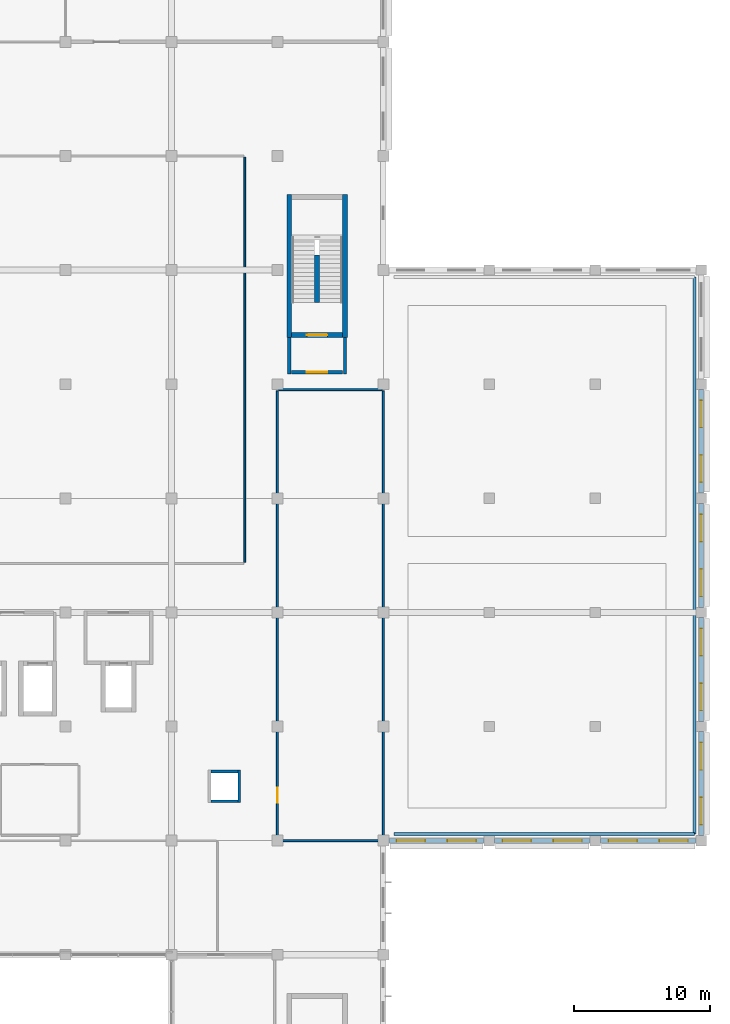
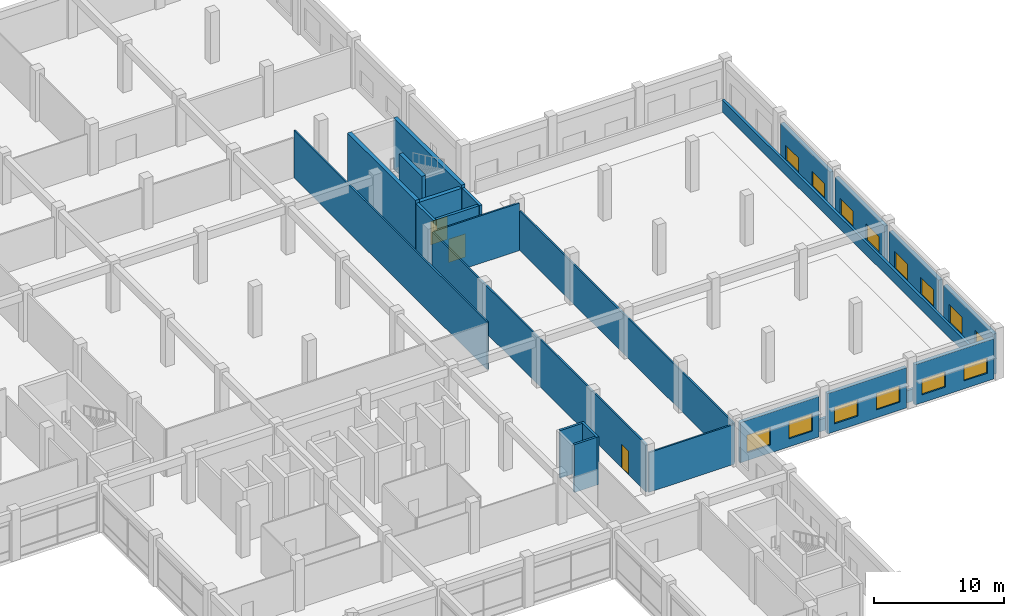
# One storey, part 50 of 62: 24 walls, 14 windows, 3 doors, 17 openings.
"""IFC4 building model written with IfcOpenShell, lengths in metres."""

from ifc_helpers import new_model, si_unit, direction, frame, frame_2d, origin, place, context, subcontext, project, spatial, rectangle, extrude, material, layer, layer_set, type_object, element, fill, save


model = new_model("IFC4")

# Units and contexts
model_context = context("Model", 3, precision=1e-05, world=origin(), true_north=direction((0.0, 1.0)))
body_context = subcontext(model_context, "Body", "Model", "MODEL_VIEW")
ifc_project = project(units=[si_unit("LENGTHUNIT", "METRE"), si_unit("AREAUNIT", "SQUARE_METRE"), si_unit("VOLUMEUNIT", "CUBIC_METRE"), si_unit("PLANEANGLEUNIT", "RADIAN"), si_unit("MASSUNIT", "GRAM", prefix="KILO"), si_unit("THERMODYNAMICTEMPERATUREUNIT", "KELVIN"), si_unit("POWERUNIT", "WATT")], contexts=[model_context])

# Site, building, storey
site_placement = place(None, origin())
site = spatial("IfcSite", under=ifc_project, at=site_placement, CompositionType="ELEMENT")
building_placement = place(site_placement, origin())
building = spatial("IfcBuilding", under=site, at=building_placement, Name="Srebrne Nadtorze General Hospital", CompositionType="ELEMENT")
storey_placement = place(building_placement, frame((0.0, 0.0, 9.60009765625)))
storey = spatial("IfcBuildingStorey", under=building, at=storey_placement, Name="L02", CompositionType="ELEMENT", Elevation=9.60009765625)

# Wall
ifc_material_1 = material(Name="Gypsum Healthcare Partition")
ifc_layer_1 = layer(ifc_material_1, 0.139892578125)
ifc_layer_set_1 = layer_set([ifc_layer_1], Name="Gypsum Healthcare Partition")
wall_type_1 = type_object("IfcWallType", Name="Clinical partition 140", PredefinedType="PARTITIONING", material=ifc_layer_set_1)
wall_1_placement = place(storey_placement, frame((138.0, 54.0849609375, 0.0), z_axis=(0.0, 0.0, 1.0), x_axis=(0.0, 1.0, 0.0)))
element("IfcWall", 1, at=wall_1_placement, inside=storey, type_object=wall_type_1, Name="Haemodialysis and Renal Care Unit wall WL-INT-L02-1540", PredefinedType="PARTITIONING", context=body_context, shape_type="SweptSolid", body=[
    extrude(rectangle(XDim=29.830078125, YDim=0.139892578125, at=frame_2d((14.9150390625, 0.0))), origin(), (0.0, 0.0, 1.0), 4.47998046875),
])

# Wall, opening, door
wall_2_placement = place(storey_placement, frame((140.39990234375, 33.68505859375, 0.0), z_axis=(0.0, 0.0, 1.0), x_axis=(0.0, 1.0, 0.0)))
wall_2 = element("IfcWall", 2, at=wall_2_placement, inside=storey, type_object=wall_type_1, Name="Renal Dialysis Preparation Unit wall WL-INT-L02-1572", PredefinedType="PARTITIONING", context=body_context, shape_type="SweptSolid", body=[
    extrude(rectangle(XDim=33.030029296875, YDim=0.139892578125, at=frame_2d((16.51513671875, 0.0))), origin(), (0.0, 0.0, 1.0), 4.47998046875),
])
opening_1_placement = place(wall_2_placement, frame((2.693115234375, 0.0, 0.0)))
opening_1 = element("IfcOpeningElement", 3, at=opening_1_placement, cuts=wall_2, Name="Opening D-L02-0257", PredefinedType="OPENING", context=body_context, shape_type="SweptSolid", body=[
    extrude(rectangle(XDim=1.1201171875, YDim=2.199951171875, at=frame_2d((0.56005859375, 1.10009765625))), frame((0.0, 0.08203125, 0.0), z_axis=(0.0, -1.0, 0.0), x_axis=(1.0, 0.0, 0.0)), (0.0, 0.0, 1.0), 0.163818359375),
])
ifc_material_2 = material(Name="Anodised Aluminium", Category="aluminium")
door_type_1 = type_object("IfcDoorType", Name="Single leaf door 1120x2200", OperationType="NOTDEFINED", PredefinedType="DOOR", material=ifc_material_2)
door_1_placement = place(opening_1_placement, frame((1.1201171875, 0.0, 0.0), z_axis=(0.0, 0.0, 1.0), x_axis=(-1.0, 0.0, 0.0)))
door_1 = element("IfcDoor", 4, at=door_1_placement, inside=storey, type_object=door_type_1, Name="Renal Dialysis Preparation Unit door D-L02-0257", OperationType="SINGLE_SWING_RIGHT", OverallHeight=2.199951171875, OverallWidth=1.1201171875, PredefinedType="DOOR", context=body_context, shape_type="SweptSolid", body=[
    extrude(rectangle(XDim=1.1201171875, YDim=2.199951171875, at=frame_2d((0.56005859375, 1.10009765625))), frame((0.0, 0.02490234375, 0.0), z_axis=(0.0, -1.0, 0.0), x_axis=(1.0, 0.0, 0.0)), (0.0, 0.0, 1.0), 0.050048828125),
])
fill(opening_1, door_1)

# Walls
wall_3_placement = place(storey_placement, frame((140.485107421875, 33.60009765625, 0.0), z_axis=(0.0, 0.0, 1.0), x_axis=(1.0, 0.0, 0.0)))
element("IfcWall", 5, at=wall_3_placement, inside=storey, type_object=wall_type_1, Name="Renal Dialysis Preparation Unit wall WL-INT-L02-1573", PredefinedType="PARTITIONING", context=body_context, shape_type="SweptSolid", body=[
    extrude(rectangle(XDim=7.6298828125, YDim=0.139892578125, at=frame_2d((3.81494140625, 0.0))), origin(), (0.0, 0.0, 1.0), 3.75),
])
wall_4_placement = place(storey_placement, frame((140.485107421875, 66.800048828125, 0.0), z_axis=(0.0, 0.0, 1.0), x_axis=(1.0, 0.0, 0.0)))
element("IfcWall", 6, at=wall_4_placement, inside=storey, type_object=wall_type_1, Name="Renal Dialysis Preparation Unit wall WL-INT-L02-1574", PredefinedType="PARTITIONING", context=body_context, shape_type="SweptSolid", body=[
    extrude(rectangle(XDim=7.6298828125, YDim=0.139892578125, at=frame_2d((3.81494140625, 0.0))), origin(), (0.0, 0.0, 1.0), 4.47998046875),
])
wall_5_placement = place(storey_placement, frame((148.199951171875, 33.68505859375, 0.0), z_axis=(0.0, 0.0, 1.0), x_axis=(0.0, 1.0, 0.0)))
element("IfcWall", 7, at=wall_5_placement, inside=storey, type_object=wall_type_1, Name="Renal Dialysis Preparation Unit wall WL-INT-L02-1575", PredefinedType="PARTITIONING", context=body_context, shape_type="SweptSolid", body=[
    extrude(rectangle(XDim=33.030029296875, YDim=0.139892578125, at=frame_2d((16.51513671875, 0.0))), origin(), (0.0, 0.0, 1.0), 3.75),
])
ifc_material_3 = material(Name="Gypsum Healthcare Partition")
ifc_layer_2 = layer(ifc_material_3, 0.199951171875)
ifc_layer_set_2 = layer_set([ifc_layer_2], Name="Gypsum Healthcare Partition")
wall_type_2 = type_object("IfcWallType", Name="Compartment wall 200", PredefinedType="STANDARD", material=ifc_layer_set_2)
wall_6_placement = place(storey_placement, frame((137.60009765625, 36.39990234375, 0.0), z_axis=(0.0, 0.0, 1.0), x_axis=(0.0, 1.0, 0.0)))
element("IfcWall", 8, at=wall_6_placement, inside=storey, type_object=wall_type_2, Name="MEP riser wall WL-INT-L02-1007", PredefinedType="STANDARD", context=body_context, shape_type="SweptSolid", body=[
    extrude(rectangle(XDim=2.400146484375, YDim=0.199951171875, at=frame_2d((1.2001953125, 0.0))), origin(), (0.0, 0.0, 1.0), 4.5),
])
for number, where, z_axis, x_axis, name in (
    (9, (135.5, 36.5, 0.0), (0.0, 0.0, 1.0), (1.0, 0.0, 0.0), "MEP riser wall WL-INT-L02-1008"),
    (10, (135.5, 38.699951171875, 0.0), (0.0, 0.0, 1.0), (1.0, 0.0, 0.0), "MEP riser wall WL-INT-L02-1009"),
):
    element("IfcWall", number, at=place(storey_placement, frame(where, z_axis=z_axis, x_axis=x_axis)), inside=storey, type_object=wall_type_2, Name=name, PredefinedType="STANDARD", context=body_context, shape_type="SweptSolid", body=[
        extrude(rectangle(XDim=2.0, YDim=0.199951171875, at=frame_2d((1.0, 0.0))), origin(), (0.0, 0.0, 1.0), 4.5),
    ])
ifc_material_4 = material(Name="Gypsum Healthcare Partition")
ifc_layer_3 = layer(ifc_material_4, 0.239990234375)
ifc_layer_set_3 = layer_set([ifc_layer_3], Name="Gypsum Healthcare Partition")
wall_type_3 = type_object("IfcWallType", Name="Corridor fire wall 240", PredefinedType="STANDARD", material=ifc_layer_set_3)
for number, where, z_axis, x_axis, name in (
    (11, (141.27490234375, 67.955078125, 0.0), (0.0, 0.0, 1.0), (0.0, 1.0, 0.0), "Fire lobby wall ST-04 WL-INT-L02-0221"),
    (12, (145.375, 67.955078125, 0.0), (0.0, 0.0, 1.0), (0.0, 1.0, 0.0), "Fire lobby wall ST-04 WL-INT-L02-0222"),
):
    element("IfcWall", number, at=place(storey_placement, frame(where, z_axis=z_axis, x_axis=x_axis)), inside=storey, type_object=wall_type_3, Name=name, PredefinedType="STANDARD", context=body_context, shape_type="SweptSolid", body=[
        extrude(rectangle(XDim=2.69482421875, YDim=0.239990234375, at=frame_2d((1.347412109375, 0.0))), origin(), (0.0, 0.0, 1.0), 4.5),
    ])

# Wall, opening, door
wall_7_placement = place(storey_placement, frame((141.449951171875, 68.074951171875, 0.0), z_axis=(0.0, 0.0, 1.0), x_axis=(1.0, 0.0, 0.0)))
wall_7 = element("IfcWall", 13, at=wall_7_placement, inside=storey, type_object=wall_type_3, Name="Fire lobby entry wall ST-04 WL-INT-L02-0223", PredefinedType="STANDARD", context=body_context, shape_type="SweptSolid", body=[
    extrude(rectangle(XDim=3.75, YDim=0.239990234375, at=frame_2d((1.875, 0.0))), origin(), (0.0, 0.0, 1.0), 4.5),
])
opening_2_placement = place(wall_7_placement, frame((1.125, 0.0, 0.0)))
opening_2 = element("IfcOpeningElement", 14, at=opening_2_placement, cuts=wall_7, Name="Opening D-L02-0056", PredefinedType="OPENING", context=body_context, shape_type="SweptSolid", body=[
    extrude(rectangle(XDim=1.5, YDim=2.199951171875, at=frame_2d((0.75, 1.10009765625))), frame((0.0, 0.1318359375, 0.0), z_axis=(0.0, -1.0, 0.0), x_axis=(1.0, 0.0, 0.0)), (0.0, 0.0, 1.0), 0.263916015625),
])
ifc_material_5 = material(Name="Anodised Aluminium", Category="aluminium")
door_type_2 = type_object("IfcDoorType", Name="Double leaf door 1500x2200", OperationType="DOUBLE_DOOR_SINGLE_SWING", PredefinedType="DOOR", material=ifc_material_5)
door_2_placement = place(opening_2_placement, origin())
door_2 = element("IfcDoor", 15, at=door_2_placement, inside=storey, type_object=door_type_2, Name="Fire lobby door ST-04 D-L02-0056", OperationType="DOUBLE_DOOR_SINGLE_SWING", OverallHeight=2.199951171875, OverallWidth=1.5, PredefinedType="DOOR", context=body_context, shape_type="SweptSolid", body=[
    extrude(rectangle(XDim=1.5, YDim=2.199951171875, at=frame_2d((0.75, 1.10009765625))), frame((0.0, 0.02490234375, 0.0), z_axis=(0.0, -1.0, 0.0), x_axis=(1.0, 0.0, 0.0)), (0.0, 0.0, 1.0), 0.050048828125),
])
fill(opening_2, door_2)

# Walls
ifc_material_6 = material(Name="Concrete C35/45 precast", Category="concrete")
ifc_layer_4 = layer(ifc_material_6, 0.219970703125)
ifc_layer_set_4 = layer_set([ifc_layer_4], Name="Concrete C35/45 precast")
wall_type_4 = type_object("IfcWallType", Name="Roof parapet wall 220", PredefinedType="PARAPET", material=ifc_layer_set_4)
wall_8_placement = place(storey_placement, frame((149.0, 34.10009765625, 0.0), z_axis=(0.0, 0.0, 1.0), x_axis=(1.0, 0.0, 0.0)))
element("IfcWall", 16, at=wall_8_placement, inside=storey, type_object=wall_type_4, Name="Roof parapet wall WP-L02-04", PredefinedType="PARAPET", context=body_context, shape_type="SweptSolid", body=[
    extrude(rectangle(XDim=22.10009765625, YDim=0.219970703125, at=frame_2d((11.050048828125, 0.0))), origin(), (0.0, 0.0, 1.0), 1.14990234375),
])
wall_9_placement = place(storey_placement, frame((171.10009765625, 34.10009765625, 0.0), z_axis=(0.0, 0.0, 1.0), x_axis=(0.0, 1.0, 0.0)))
element("IfcWall", 17, at=wall_9_placement, inside=storey, type_object=wall_type_4, Name="Roof parapet wall WP-L02-05", PredefinedType="PARAPET", context=body_context, shape_type="SweptSolid", body=[
    extrude(rectangle(XDim=41.0, YDim=0.219970703125, at=frame_2d((20.5, 0.0))), origin(), (0.0, 0.0, 1.0), 1.14990234375),
])
ifc_material_7 = material(Name="Concrete C40/50", Category="concrete")
ifc_layer_5 = layer(ifc_material_7, 0.35009765625)
ifc_layer_set_5 = layer_set([ifc_layer_5], Name="Concrete C40/50")
wall_type_5 = type_object("IfcWallType", Name="Shear core wall 350", PredefinedType="SHEAR", material=ifc_layer_set_5)
for number, where, z_axis, x_axis, name in (
    (18, (141.27490234375, 70.64990234375, 0.0), (0.0, 0.0, 1.0), (0.0, 1.0, 0.0), "Stair core wall ST-04 WL-INT-L02-0217"),
    (19, (145.375, 70.64990234375, 0.0), (0.0, 0.0, 1.0), (0.0, 1.0, 0.0), "Stair core wall ST-04 WL-INT-L02-0218"),
):
    element("IfcWall", number, at=place(storey_placement, frame(where, z_axis=z_axis, x_axis=x_axis)), inside=storey, type_object=wall_type_5, Name=name, PredefinedType="SHEAR", context=body_context, shape_type="SweptSolid", body=[
        extrude(rectangle(XDim=10.5, YDim=0.35009765625, at=frame_2d((5.25, 0.0))), origin(), (0.0, 0.0, 1.0), 4.7998046875),
    ])

# Wall, opening, door
wall_10_placement = place(storey_placement, frame((141.449951171875, 70.824951171875, 0.0), z_axis=(0.0, 0.0, 1.0), x_axis=(1.0, 0.0, 0.0)))
wall_10 = element("IfcWall", 20, at=wall_10_placement, inside=storey, type_object=wall_type_5, Name="Stairwell fire wall ST-04 WL-INT-L02-0220", PredefinedType="SHEAR", context=body_context, shape_type="SweptSolid", body=[
    extrude(rectangle(XDim=3.75, YDim=0.35009765625, at=frame_2d((1.875, 0.0))), origin(), (0.0, 0.0, 1.0), 4.5),
])
opening_3_placement = place(wall_10_placement, frame((1.125, 0.0, 0.0)))
opening_3 = element("IfcOpeningElement", 21, at=opening_3_placement, cuts=wall_10, Name="Opening D-L02-0055", PredefinedType="OPENING", context=body_context, shape_type="SweptSolid", body=[
    extrude(rectangle(XDim=1.5, YDim=2.199951171875, at=frame_2d((0.75, 1.10009765625))), frame((0.0, 0.18701171875, 0.0), z_axis=(0.0, -1.0, 0.0), x_axis=(1.0, 0.0, 0.0)), (0.0, 0.0, 1.0), 0.3740234375),
])
door_3_placement = place(opening_3_placement, origin())
door_3 = element("IfcDoor", 22, at=door_3_placement, inside=storey, type_object=door_type_2, Name="Protected stair door ST-04 D-L02-0055", OperationType="DOUBLE_DOOR_SINGLE_SWING", OverallHeight=2.199951171875, OverallWidth=1.5, PredefinedType="DOOR", context=body_context, shape_type="SweptSolid", body=[
    extrude(rectangle(XDim=1.5, YDim=2.199951171875, at=frame_2d((0.75, 1.10009765625))), frame((0.0, 0.02490234375, 0.0), z_axis=(0.0, -1.0, 0.0), x_axis=(1.0, 0.0, 0.0)), (0.0, 0.0, 1.0), 0.050048828125),
])
fill(opening_3, door_3)

# Wall
wall_11_placement = place(storey_placement, frame((143.324951171875, 73.199951171875, 0.0), z_axis=(0.0, 0.0, 1.0), x_axis=(0.0, 1.0, 0.0)))
element("IfcWall", 23, at=wall_11_placement, inside=storey, type_object=wall_type_5, Name="Stair spine wall ST-04 WL-INT-L02-0224", PredefinedType="SHEAR", context=body_context, shape_type="SweptSolid", body=[
    extrude(rectangle(XDim=3.52001953125, YDim=0.35009765625, at=frame_2d((1.760009765625, 0.0))), origin(), (0.0, 0.0, 1.0), 4.7998046875),
])

# Wall, openings, windows
ifc_material_8 = material(Name="Concrete C35/45", Category="concrete")
ifc_layer_6 = layer(ifc_material_8, 0.320068359375)
ifc_layer_set_6 = layer_set([ifc_layer_6], Name="Concrete C35/45")
wall_type_6 = type_object("IfcWallType", Name="Spandrel wall 320", PredefinedType="STANDARD", material=ifc_layer_set_6)
wall_12_placement = place(storey_placement, frame((148.60009765625, 33.60009765625, 0.0), z_axis=(0.0, 0.0, 1.0), x_axis=(1.0, 0.0, 0.0)))
wall_12 = element("IfcWall", 24, at=wall_12_placement, inside=storey, type_object=wall_type_6, Name="Exterior wall WL-ENV-L02-0220", PredefinedType="STANDARD", context=body_context, shape_type="SweptSolid", body=[
    extrude(rectangle(XDim=7.02490234375, YDim=0.320068359375, at=frame_2d((3.512451171875, 0.0))), origin(), (0.0, 0.0, 1.0), 3.7998046875),
])
opening_4_placement = place(wall_12_placement, frame((0.577880859375, 0.0, 0.75)))
opening_4 = element("IfcOpeningElement", 25, at=opening_4_placement, cuts=wall_12, Name="Opening WN-L02-0264", PredefinedType="OPENING", context=body_context, shape_type="SweptSolid", body=[
    extrude(rectangle(XDim=2.10009765625, YDim=1.64990234375, at=frame_2d((1.050048828125, 0.824951171875))), frame((0.0, 0.171875, 0.0), z_axis=(0.0, -1.0, 0.0), x_axis=(1.0, 0.0, 0.0)), (0.0, 0.0, 1.0), 0.343994140625),
])
opening_5_placement = place(wall_12_placement, frame((4.322021484375, 0.0, 0.75)))
opening_5 = element("IfcOpeningElement", 26, at=opening_5_placement, cuts=wall_12, Name="Opening WN-L02-0265", PredefinedType="OPENING", context=body_context, shape_type="SweptSolid", body=[
    extrude(rectangle(XDim=2.10009765625, YDim=1.64990234375, at=frame_2d((1.050048828125, 0.824951171875))), frame((0.0, 0.171875, 0.0), z_axis=(0.0, -1.0, 0.0), x_axis=(1.0, 0.0, 0.0)), (0.0, 0.0, 1.0), 0.343994140625),
])
ifc_material_9 = material(Name="Triple Low-E Glazing", Category="glass")
window_type_1 = type_object("IfcWindowType", Name="Punched clinical window 2100x1650", PartitioningType="DOUBLE_PANEL_VERTICAL", PredefinedType="WINDOW", material=ifc_material_9)
window_1_placement = place(opening_4_placement, origin())
window_1 = element("IfcWindow", 27, at=window_1_placement, inside=storey, type_object=window_type_1, Name="Clinical window WN-L02-0264", OverallHeight=1.64990234375, OverallWidth=2.10009765625, PartitioningType="DOUBLE_PANEL_VERTICAL", PredefinedType="WINDOW", context=body_context, shape_type="SweptSolid", body=[
    extrude(rectangle(XDim=2.10009765625, YDim=1.64990234375, at=frame_2d((1.050048828125, 0.824951171875))), frame((0.0, 0.030029296875, 0.0), z_axis=(0.0, -1.0, 0.0), x_axis=(1.0, 0.0, 0.0)), (0.0, 0.0, 1.0), 0.06005859375),
])
fill(opening_4, window_1)
window_2_placement = place(opening_5_placement, origin())
window_2 = element("IfcWindow", 28, at=window_2_placement, inside=storey, type_object=window_type_1, Name="Clinical window WN-L02-0265", OverallHeight=1.64990234375, OverallWidth=2.10009765625, PartitioningType="DOUBLE_PANEL_VERTICAL", PredefinedType="WINDOW", context=body_context, shape_type="SweptSolid", body=[
    extrude(rectangle(XDim=2.10009765625, YDim=1.64990234375, at=frame_2d((1.050048828125, 0.824951171875))), frame((0.0, 0.030029296875, 0.0), z_axis=(0.0, -1.0, 0.0), x_axis=(1.0, 0.0, 0.0)), (0.0, 0.0, 1.0), 0.06005859375),
])
fill(opening_5, window_2)

wall_13_placement = place(storey_placement, frame((156.375, 33.60009765625, 0.0), z_axis=(0.0, 0.0, 1.0), x_axis=(1.0, 0.0, 0.0)))
wall_13 = element("IfcWall", 29, at=wall_13_placement, inside=storey, type_object=wall_type_6, Name="Exterior wall WL-ENV-L02-0221", PredefinedType="STANDARD", context=body_context, shape_type="SweptSolid", body=[
    extrude(rectangle(XDim=7.050048828125, YDim=0.320068359375, at=frame_2d((3.52490234375, 0.0))), origin(), (0.0, 0.0, 1.0), 3.7998046875),
])
opening_6_placement = place(wall_13_placement, frame((0.60302734375, 0.0, 0.75)))
opening_6 = element("IfcOpeningElement", 30, at=opening_6_placement, cuts=wall_13, Name="Opening WN-L02-0266", PredefinedType="OPENING", context=body_context, shape_type="SweptSolid", body=[
    extrude(rectangle(XDim=2.10009765625, YDim=1.550048828125, at=frame_2d((1.050048828125, 0.77490234375))), frame((0.0, 0.171875, 0.0), z_axis=(0.0, -1.0, 0.0), x_axis=(1.0, 0.0, 0.0)), (0.0, 0.0, 1.0), 0.343994140625),
])
opening_7_placement = place(wall_13_placement, frame((4.346923828125, 0.0, 0.75)))
opening_7 = element("IfcOpeningElement", 31, at=opening_7_placement, cuts=wall_13, Name="Opening WN-L02-0267", PredefinedType="OPENING", context=body_context, shape_type="SweptSolid", body=[
    extrude(rectangle(XDim=2.10009765625, YDim=1.550048828125, at=frame_2d((1.050048828125, 0.77490234375))), frame((0.0, 0.171875, 0.0), z_axis=(0.0, -1.0, 0.0), x_axis=(1.0, 0.0, 0.0)), (0.0, 0.0, 1.0), 0.343994140625),
])
ifc_material_10 = material(Name="Triple Low-E Glazing", Category="glass")
window_type_2 = type_object("IfcWindowType", Name="Punched clinical window 2100x1550", PartitioningType="DOUBLE_PANEL_VERTICAL", PredefinedType="WINDOW", material=ifc_material_10)
window_3_placement = place(opening_6_placement, origin())
window_3 = element("IfcWindow", 32, at=window_3_placement, inside=storey, type_object=window_type_2, Name="Clinical window WN-L02-0266", OverallHeight=1.550048828125, OverallWidth=2.10009765625, PartitioningType="DOUBLE_PANEL_VERTICAL", PredefinedType="WINDOW", context=body_context, shape_type="SweptSolid", body=[
    extrude(rectangle(XDim=2.10009765625, YDim=1.550048828125, at=frame_2d((1.050048828125, 0.77490234375))), frame((0.0, 0.030029296875, 0.0), z_axis=(0.0, -1.0, 0.0), x_axis=(1.0, 0.0, 0.0)), (0.0, 0.0, 1.0), 0.06005859375),
])
fill(opening_6, window_3)
window_4_placement = place(opening_7_placement, origin())
window_4 = element("IfcWindow", 33, at=window_4_placement, inside=storey, type_object=window_type_2, Name="Clinical window WN-L02-0267", OverallHeight=1.550048828125, OverallWidth=2.10009765625, PartitioningType="DOUBLE_PANEL_VERTICAL", PredefinedType="WINDOW", context=body_context, shape_type="SweptSolid", body=[
    extrude(rectangle(XDim=2.10009765625, YDim=1.550048828125, at=frame_2d((1.050048828125, 0.77490234375))), frame((0.0, 0.030029296875, 0.0), z_axis=(0.0, -1.0, 0.0), x_axis=(1.0, 0.0, 0.0)), (0.0, 0.0, 1.0), 0.06005859375),
])
fill(opening_7, window_4)

wall_14_placement = place(storey_placement, frame((164.175048828125, 33.60009765625, 0.0), z_axis=(0.0, 0.0, 1.0), x_axis=(1.0, 0.0, 0.0)))
wall_14 = element("IfcWall", 34, at=wall_14_placement, inside=storey, type_object=wall_type_6, Name="Exterior wall WL-ENV-L02-0222", PredefinedType="STANDARD", context=body_context, shape_type="SweptSolid", body=[
    extrude(rectangle(XDim=7.050048828125, YDim=0.320068359375, at=frame_2d((3.52490234375, 0.0))), origin(), (0.0, 0.0, 1.0), 3.7998046875),
])
opening_8_placement = place(wall_14_placement, frame((0.60302734375, 0.0, 0.75)))
opening_8 = element("IfcOpeningElement", 35, at=opening_8_placement, cuts=wall_14, Name="Opening WN-L02-0268", PredefinedType="OPENING", context=body_context, shape_type="SweptSolid", body=[
    extrude(rectangle(XDim=2.10009765625, YDim=1.449951171875, at=frame_2d((1.050048828125, 0.72509765625))), frame((0.0, 0.171875, 0.0), z_axis=(0.0, -1.0, 0.0), x_axis=(1.0, 0.0, 0.0)), (0.0, 0.0, 1.0), 0.343994140625),
])
opening_9_placement = place(wall_14_placement, frame((4.346923828125, 0.0, 0.75)))
opening_9 = element("IfcOpeningElement", 36, at=opening_9_placement, cuts=wall_14, Name="Opening WN-L02-0269", PredefinedType="OPENING", context=body_context, shape_type="SweptSolid", body=[
    extrude(rectangle(XDim=2.10009765625, YDim=1.449951171875, at=frame_2d((1.050048828125, 0.72509765625))), frame((0.0, 0.171875, 0.0), z_axis=(0.0, -1.0, 0.0), x_axis=(1.0, 0.0, 0.0)), (0.0, 0.0, 1.0), 0.343994140625),
])
ifc_material_11 = material(Name="Triple Low-E Glazing", Category="glass")
window_type_3 = type_object("IfcWindowType", Name="Punched clinical window 2100x1450", PartitioningType="DOUBLE_PANEL_VERTICAL", PredefinedType="WINDOW", material=ifc_material_11)
window_5_placement = place(opening_8_placement, origin())
window_5 = element("IfcWindow", 37, at=window_5_placement, inside=storey, type_object=window_type_3, Name="Clinical window WN-L02-0268", OverallHeight=1.449951171875, OverallWidth=2.10009765625, PartitioningType="DOUBLE_PANEL_VERTICAL", PredefinedType="WINDOW", context=body_context, shape_type="SweptSolid", body=[
    extrude(rectangle(XDim=2.10009765625, YDim=1.449951171875, at=frame_2d((1.050048828125, 0.72509765625))), frame((0.0, 0.030029296875, 0.0), z_axis=(0.0, -1.0, 0.0), x_axis=(1.0, 0.0, 0.0)), (0.0, 0.0, 1.0), 0.06005859375),
])
fill(opening_8, window_5)
window_6_placement = place(opening_9_placement, origin())
window_6 = element("IfcWindow", 38, at=window_6_placement, inside=storey, type_object=window_type_3, Name="Clinical window WN-L02-0269", OverallHeight=1.449951171875, OverallWidth=2.10009765625, PartitioningType="DOUBLE_PANEL_VERTICAL", PredefinedType="WINDOW", context=body_context, shape_type="SweptSolid", body=[
    extrude(rectangle(XDim=2.10009765625, YDim=1.449951171875, at=frame_2d((1.050048828125, 0.72509765625))), frame((0.0, 0.030029296875, 0.0), z_axis=(0.0, -1.0, 0.0), x_axis=(1.0, 0.0, 0.0)), (0.0, 0.0, 1.0), 0.06005859375),
])
fill(opening_9, window_6)

wall_15_placement = place(storey_placement, frame((171.60009765625, 33.97509765625, 0.0), z_axis=(0.0, 0.0, 1.0), x_axis=(0.0, 1.0, 0.0)))
wall_15 = element("IfcWall", 39, at=wall_15_placement, inside=storey, type_object=wall_type_6, Name="Exterior wall WL-ENV-L02-0277", PredefinedType="STANDARD", context=body_context, shape_type="SweptSolid", body=[
    extrude(rectangle(XDim=7.64990234375, YDim=0.320068359375, at=frame_2d((3.824951171875, 0.0))), origin(), (0.0, 0.0, 1.0), 3.7998046875),
])
opening_10_placement = place(wall_15_placement, frame((0.80908203125, 0.0, 0.75)))
opening_10 = element("IfcOpeningElement", 40, at=opening_10_placement, cuts=wall_15, Name="Opening WN-L02-0375", PredefinedType="OPENING", context=body_context, shape_type="SweptSolid", body=[
    extrude(rectangle(XDim=2.0, YDim=1.75, at=frame_2d((1.0, 0.875))), frame((0.0, 0.171875, 0.0), z_axis=(0.0, -1.0, 0.0), x_axis=(1.0, 0.0, 0.0)), (0.0, 0.0, 1.0), 0.343994140625),
])
opening_11_placement = place(wall_15_placement, frame((4.841064453125, 0.0, 0.75)))
opening_11 = element("IfcOpeningElement", 41, at=opening_11_placement, cuts=wall_15, Name="Opening WN-L02-0376", PredefinedType="OPENING", context=body_context, shape_type="SweptSolid", body=[
    extrude(rectangle(XDim=2.0, YDim=1.75, at=frame_2d((1.0, 0.875))), frame((0.0, 0.171875, 0.0), z_axis=(0.0, -1.0, 0.0), x_axis=(1.0, 0.0, 0.0)), (0.0, 0.0, 1.0), 0.343994140625),
])
ifc_material_12 = material(Name="Triple Low-E Glazing", Category="glass")
window_type_4 = type_object("IfcWindowType", Name="Punched clinical window 2000x1750", PartitioningType="DOUBLE_PANEL_VERTICAL", PredefinedType="WINDOW", material=ifc_material_12)
window_7_placement = place(opening_10_placement, origin())
window_7 = element("IfcWindow", 42, at=window_7_placement, inside=storey, type_object=window_type_4, Name="Clinical window WN-L02-0375", OverallHeight=1.75, OverallWidth=2.0, PartitioningType="DOUBLE_PANEL_VERTICAL", PredefinedType="WINDOW", context=body_context, shape_type="SweptSolid", body=[
    extrude(rectangle(XDim=2.0, YDim=1.75, at=frame_2d((1.0, 0.875))), frame((0.0, 0.030029296875, 0.0), z_axis=(0.0, -1.0, 0.0), x_axis=(1.0, 0.0, 0.0)), (0.0, 0.0, 1.0), 0.06005859375),
])
fill(opening_10, window_7)
window_8_placement = place(opening_11_placement, origin())
window_8 = element("IfcWindow", 43, at=window_8_placement, inside=storey, type_object=window_type_4, Name="Clinical window WN-L02-0376", OverallHeight=1.75, OverallWidth=2.0, PartitioningType="DOUBLE_PANEL_VERTICAL", PredefinedType="WINDOW", context=body_context, shape_type="SweptSolid", body=[
    extrude(rectangle(XDim=2.0, YDim=1.75, at=frame_2d((1.0, 0.875))), frame((0.0, 0.030029296875, 0.0), z_axis=(0.0, -1.0, 0.0), x_axis=(1.0, 0.0, 0.0)), (0.0, 0.0, 1.0), 0.06005859375),
])
fill(opening_11, window_8)

wall_16_placement = place(storey_placement, frame((171.60009765625, 42.375, 0.0), z_axis=(0.0, 0.0, 1.0), x_axis=(0.0, 1.0, 0.0)))
wall_16 = element("IfcWall", 44, at=wall_16_placement, inside=storey, type_object=wall_type_6, Name="Exterior wall WL-ENV-L02-0278", PredefinedType="STANDARD", context=body_context, shape_type="SweptSolid", body=[
    extrude(rectangle(XDim=7.64990234375, YDim=0.320068359375, at=frame_2d((3.824951171875, 0.0))), origin(), (0.0, 0.0, 1.0), 3.7998046875),
])
opening_12_placement = place(wall_16_placement, frame((0.80908203125, 0.0, 0.75)))
opening_12 = element("IfcOpeningElement", 45, at=opening_12_placement, cuts=wall_16, Name="Opening WN-L02-0377", PredefinedType="OPENING", context=body_context, shape_type="SweptSolid", body=[
    extrude(rectangle(XDim=2.0, YDim=1.64990234375, at=frame_2d((1.0, 0.824951171875))), frame((0.0, 0.171875, 0.0), z_axis=(0.0, -1.0, 0.0), x_axis=(1.0, 0.0, 0.0)), (0.0, 0.0, 1.0), 0.343994140625),
])
opening_13_placement = place(wall_16_placement, frame((4.841064453125, 0.0, 0.75)))
opening_13 = element("IfcOpeningElement", 46, at=opening_13_placement, cuts=wall_16, Name="Opening WN-L02-0378", PredefinedType="OPENING", context=body_context, shape_type="SweptSolid", body=[
    extrude(rectangle(XDim=2.0, YDim=1.64990234375, at=frame_2d((1.0, 0.824951171875))), frame((0.0, 0.171875, 0.0), z_axis=(0.0, -1.0, 0.0), x_axis=(1.0, 0.0, 0.0)), (0.0, 0.0, 1.0), 0.343994140625),
])
ifc_material_13 = material(Name="Triple Low-E Glazing", Category="glass")
window_type_5 = type_object("IfcWindowType", Name="Punched clinical window 2000x1650", PartitioningType="DOUBLE_PANEL_VERTICAL", PredefinedType="WINDOW", material=ifc_material_13)
window_9_placement = place(opening_12_placement, origin())
window_9 = element("IfcWindow", 47, at=window_9_placement, inside=storey, type_object=window_type_5, Name="Clinical window WN-L02-0377", OverallHeight=1.64990234375, OverallWidth=2.0, PartitioningType="DOUBLE_PANEL_VERTICAL", PredefinedType="WINDOW", context=body_context, shape_type="SweptSolid", body=[
    extrude(rectangle(XDim=2.0, YDim=1.64990234375, at=frame_2d((1.0, 0.824951171875))), frame((0.0, 0.030029296875, 0.0), z_axis=(0.0, -1.0, 0.0), x_axis=(1.0, 0.0, 0.0)), (0.0, 0.0, 1.0), 0.06005859375),
])
fill(opening_12, window_9)
window_10_placement = place(opening_13_placement, origin())
window_10 = element("IfcWindow", 48, at=window_10_placement, inside=storey, type_object=window_type_5, Name="Clinical window WN-L02-0378", OverallHeight=1.64990234375, OverallWidth=2.0, PartitioningType="DOUBLE_PANEL_VERTICAL", PredefinedType="WINDOW", context=body_context, shape_type="SweptSolid", body=[
    extrude(rectangle(XDim=2.0, YDim=1.64990234375, at=frame_2d((1.0, 0.824951171875))), frame((0.0, 0.030029296875, 0.0), z_axis=(0.0, -1.0, 0.0), x_axis=(1.0, 0.0, 0.0)), (0.0, 0.0, 1.0), 0.06005859375),
])
fill(opening_13, window_10)

wall_17_placement = place(storey_placement, frame((171.60009765625, 50.77490234375, 0.0), z_axis=(0.0, 0.0, 1.0), x_axis=(0.0, 1.0, 0.0)))
wall_17 = element("IfcWall", 49, at=wall_17_placement, inside=storey, type_object=wall_type_6, Name="Exterior wall WL-ENV-L02-0279", PredefinedType="STANDARD", context=body_context, shape_type="SweptSolid", body=[
    extrude(rectangle(XDim=7.650146484375, YDim=0.320068359375, at=frame_2d((3.8251953125, 0.0))), origin(), (0.0, 0.0, 1.0), 3.7998046875),
])
opening_14_placement = place(wall_17_placement, frame((0.80908203125, 0.0, 0.75)))
opening_14 = element("IfcOpeningElement", 50, at=opening_14_placement, cuts=wall_17, Name="Opening WN-L02-0379", PredefinedType="OPENING", context=body_context, shape_type="SweptSolid", body=[
    extrude(rectangle(XDim=2.0, YDim=1.550048828125, at=frame_2d((1.0, 0.77490234375))), frame((0.0, 0.171875, 0.0), z_axis=(0.0, -1.0, 0.0), x_axis=(1.0, 0.0, 0.0)), (0.0, 0.0, 1.0), 0.343994140625),
])
opening_15_placement = place(wall_17_placement, frame((4.841064453125, 0.0, 0.75)))
opening_15 = element("IfcOpeningElement", 51, at=opening_15_placement, cuts=wall_17, Name="Opening WN-L02-0380", PredefinedType="OPENING", context=body_context, shape_type="SweptSolid", body=[
    extrude(rectangle(XDim=2.0, YDim=1.550048828125, at=frame_2d((1.0, 0.77490234375))), frame((0.0, 0.171875, 0.0), z_axis=(0.0, -1.0, 0.0), x_axis=(1.0, 0.0, 0.0)), (0.0, 0.0, 1.0), 0.343994140625),
])
ifc_material_14 = material(Name="Triple Low-E Glazing", Category="glass")
window_type_6 = type_object("IfcWindowType", Name="Punched clinical window 2000x1550", PartitioningType="DOUBLE_PANEL_VERTICAL", PredefinedType="WINDOW", material=ifc_material_14)
window_11_placement = place(opening_14_placement, origin())
window_11 = element("IfcWindow", 52, at=window_11_placement, inside=storey, type_object=window_type_6, Name="Clinical window WN-L02-0379", OverallHeight=1.550048828125, OverallWidth=2.0, PartitioningType="DOUBLE_PANEL_VERTICAL", PredefinedType="WINDOW", context=body_context, shape_type="SweptSolid", body=[
    extrude(rectangle(XDim=2.0, YDim=1.550048828125, at=frame_2d((1.0, 0.77490234375))), frame((0.0, 0.030029296875, 0.0), z_axis=(0.0, -1.0, 0.0), x_axis=(1.0, 0.0, 0.0)), (0.0, 0.0, 1.0), 0.06005859375),
])
fill(opening_14, window_11)
window_12_placement = place(opening_15_placement, origin())
window_12 = element("IfcWindow", 53, at=window_12_placement, inside=storey, type_object=window_type_6, Name="Clinical window WN-L02-0380", OverallHeight=1.550048828125, OverallWidth=2.0, PartitioningType="DOUBLE_PANEL_VERTICAL", PredefinedType="WINDOW", context=body_context, shape_type="SweptSolid", body=[
    extrude(rectangle(XDim=2.0, YDim=1.550048828125, at=frame_2d((1.0, 0.77490234375))), frame((0.0, 0.030029296875, 0.0), z_axis=(0.0, -1.0, 0.0), x_axis=(1.0, 0.0, 0.0)), (0.0, 0.0, 1.0), 0.06005859375),
])
fill(opening_15, window_12)

wall_18_placement = place(storey_placement, frame((171.60009765625, 59.175048828125, 0.0), z_axis=(0.0, 0.0, 1.0), x_axis=(0.0, 1.0, 0.0)))
wall_18 = element("IfcWall", 54, at=wall_18_placement, inside=storey, type_object=wall_type_6, Name="Exterior wall WL-ENV-L02-0280", PredefinedType="STANDARD", context=body_context, shape_type="SweptSolid", body=[
    extrude(rectangle(XDim=7.64990234375, YDim=0.320068359375, at=frame_2d((3.824951171875, 0.0))), origin(), (0.0, 0.0, 1.0), 3.7998046875),
])
opening_16_placement = place(wall_18_placement, frame((0.80908203125, 0.0, 0.75)))
opening_16 = element("IfcOpeningElement", 55, at=opening_16_placement, cuts=wall_18, Name="Opening WN-L02-0381", PredefinedType="OPENING", context=body_context, shape_type="SweptSolid", body=[
    extrude(rectangle(XDim=2.0, YDim=1.449951171875, at=frame_2d((1.0, 0.72509765625))), frame((0.0, 0.171875, 0.0), z_axis=(0.0, -1.0, 0.0), x_axis=(1.0, 0.0, 0.0)), (0.0, 0.0, 1.0), 0.343994140625),
])
opening_17_placement = place(wall_18_placement, frame((4.841064453125, 0.0, 0.75)))
opening_17 = element("IfcOpeningElement", 56, at=opening_17_placement, cuts=wall_18, Name="Opening WN-L02-0382", PredefinedType="OPENING", context=body_context, shape_type="SweptSolid", body=[
    extrude(rectangle(XDim=2.0, YDim=1.449951171875, at=frame_2d((1.0, 0.72509765625))), frame((0.0, 0.171875, 0.0), z_axis=(0.0, -1.0, 0.0), x_axis=(1.0, 0.0, 0.0)), (0.0, 0.0, 1.0), 0.343994140625),
])
ifc_material_15 = material(Name="Triple Low-E Glazing", Category="glass")
window_type_7 = type_object("IfcWindowType", Name="Punched clinical window 2000x1450", PartitioningType="DOUBLE_PANEL_VERTICAL", PredefinedType="WINDOW", material=ifc_material_15)
window_13_placement = place(opening_16_placement, origin())
window_13 = element("IfcWindow", 57, at=window_13_placement, inside=storey, type_object=window_type_7, Name="Clinical window WN-L02-0381", OverallHeight=1.449951171875, OverallWidth=2.0, PartitioningType="DOUBLE_PANEL_VERTICAL", PredefinedType="WINDOW", context=body_context, shape_type="SweptSolid", body=[
    extrude(rectangle(XDim=2.0, YDim=1.449951171875, at=frame_2d((1.0, 0.72509765625))), frame((0.0, 0.030029296875, 0.0), z_axis=(0.0, -1.0, 0.0), x_axis=(1.0, 0.0, 0.0)), (0.0, 0.0, 1.0), 0.06005859375),
])
fill(opening_16, window_13)
window_14_placement = place(opening_17_placement, origin())
window_14 = element("IfcWindow", 58, at=window_14_placement, inside=storey, type_object=window_type_7, Name="Clinical window WN-L02-0382", OverallHeight=1.449951171875, OverallWidth=2.0, PartitioningType="DOUBLE_PANEL_VERTICAL", PredefinedType="WINDOW", context=body_context, shape_type="SweptSolid", body=[
    extrude(rectangle(XDim=2.0, YDim=1.449951171875, at=frame_2d((1.0, 0.72509765625))), frame((0.0, 0.030029296875, 0.0), z_axis=(0.0, -1.0, 0.0), x_axis=(1.0, 0.0, 0.0)), (0.0, 0.0, 1.0), 0.06005859375),
])
fill(opening_17, window_14)

save(model, "model.ifc")
